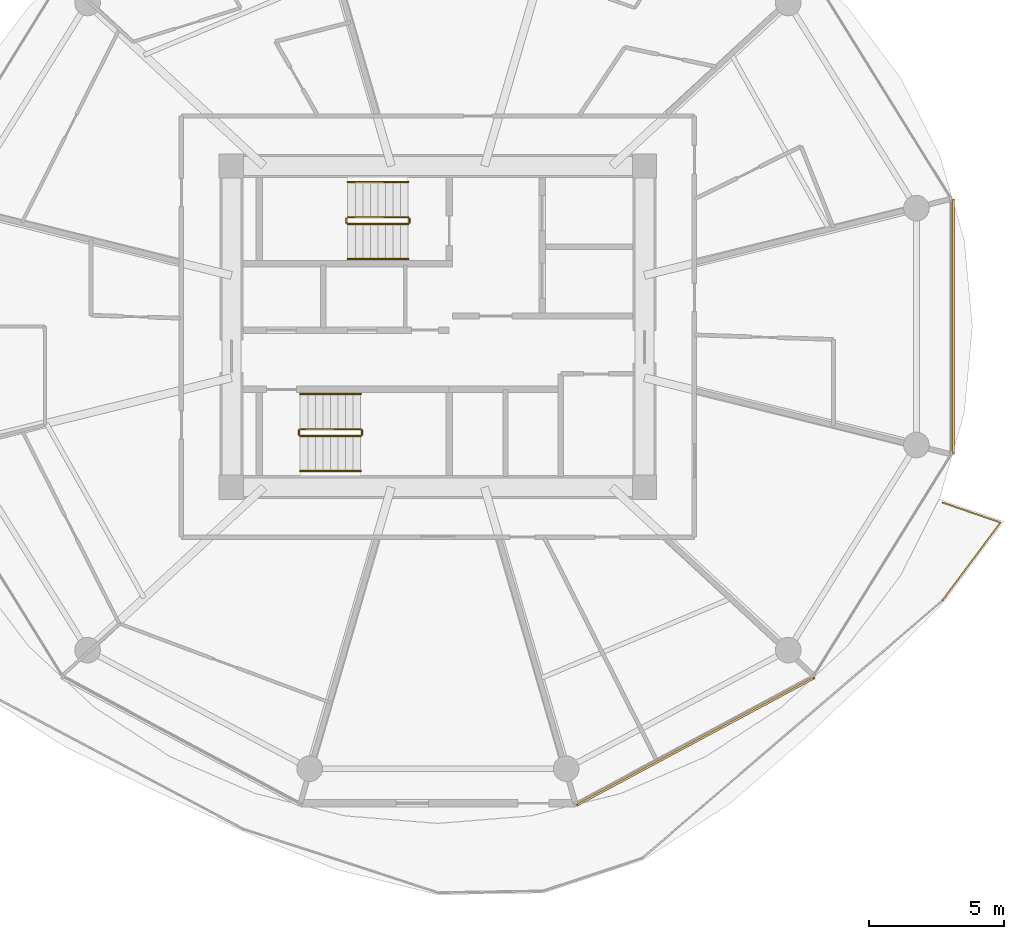
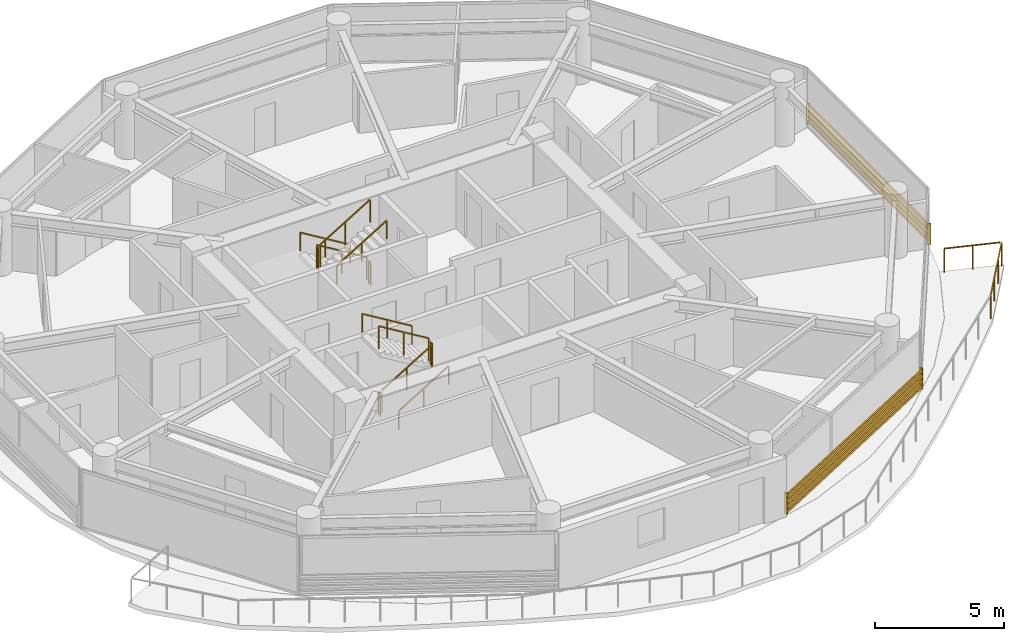
# One storey, part 24 of 25: 13 railings, 2 shading devices.
"""IFC4 building model written with IfcOpenShell, lengths in metres."""

from ifc_helpers import new_model, si_unit, direction, frame, origin, origin_2d, place, context, subcontext, project, spatial, rectangle, extrude, source, transform, mapped, material, type_object, type_shapes, element, save


model = new_model("IFC4")

# Units and contexts
model_context = context("Model", 3, precision=1e-05, world=origin(), true_north=direction((0.0, 1.0)))
body_context = subcontext(model_context, "Body", "Model", "MODEL_VIEW")
ifc_project = project(units=[si_unit("LENGTHUNIT", "METRE"), si_unit("AREAUNIT", "SQUARE_METRE"), si_unit("VOLUMEUNIT", "CUBIC_METRE"), si_unit("PLANEANGLEUNIT", "RADIAN"), si_unit("MASSUNIT", "GRAM", prefix="KILO")], contexts=[model_context])

# Site, building, storey
site_placement = place(None, origin())
site = spatial("IfcSite", under=ifc_project, at=site_placement, CompositionType="ELEMENT")
building_placement = place(site_placement, origin())
building = spatial("IfcBuilding", under=site, at=building_placement, Name="Norrkilde Senior Care Towers", CompositionType="ELEMENT")
storey_placement = place(building_placement, frame((0.0, 0.0, 27.699951171875)))
storey = spatial("IfcBuildingStorey", under=building, at=storey_placement, Name="L07", CompositionType="ELEMENT", Elevation=27.699951171875)

# Railings
ifc_material_1 = material(Name="Anodised Aluminium", Category="aluminium")
railing_type_1 = type_object("IfcRailingType", Name="Balcony Swirl Ribbon Guardrail 1150", PredefinedType="GUARDRAIL", material=ifc_material_1)
railing_1_placement = place(storey_placement, frame((46.69384765625, -6.519287109375, 0.0)))
element("IfcRailing", 1, at=railing_1_placement, inside=storey, type_object=railing_type_1, Name="L07 Perimeter Safety Guard 02", PredefinedType="GUARDRAIL", context=body_context, shape_type="SweptSolid", body=[
    extrude(rectangle(XDim=0.048095703125, YDim=0.048095703125, at=origin_2d()), frame((0.0, 0.0, 1.1259765625), z_axis=(0.945536499231, -0.325516095795, 0.0), x_axis=(0.325516095795, 0.945536499231, 0.0)), (0.0, 0.0, 1.0), 2.226318359375),
    extrude(rectangle(XDim=0.048095703125, YDim=0.048095703125, at=origin_2d()), frame((2.119384765625, -0.770751953125, 1.1259765625), z_axis=(-0.597424004496, -0.801925531986, 0.0), x_axis=(0.801925531986, -0.597424004496, 0.0)), (0.0, 0.0, 1.0), 3.557373046875),
    extrude(rectangle(XDim=0.0419921875, YDim=0.0419921875, at=origin_2d()), origin(), (0.0, 0.0, 1.0), 1.099853515625),
    extrude(rectangle(XDim=0.0419921875, YDim=0.0419921875, at=origin_2d()), frame((1.07177734375, -0.369140625, 0.0)), (0.0, 0.0, 1.0), 1.099853515625),
    extrude(rectangle(XDim=0.0419921875, YDim=0.0419921875, at=origin_2d()), frame((2.143798828125, -0.738037109375, 0.0)), (0.0, 0.0, 1.0), 1.099853515625),
    extrude(rectangle(XDim=0.0419921875, YDim=0.0419921875, at=origin_2d()), frame((1.42724609375, -1.699951171875, 0.0)), (0.0, 0.0, 1.0), 1.099853515625),
    extrude(rectangle(XDim=0.0419921875, YDim=0.0419921875, at=origin_2d()), frame((0.710693359375, -2.66162109375, 0.0)), (0.0, 0.0, 1.0), 1.099853515625),
    extrude(rectangle(XDim=0.0419921875, YDim=0.0419921875, at=origin_2d()), frame((-0.005859375, -3.62353515625, 0.0)), (0.0, 0.0, 1.0), 1.099853515625),
])
ifc_material_2 = material(Name="Stainless Steel", Category="steel")
railing_type_2 = type_object("IfcRailingType", Name="Stair and Terrace Guardrail 1100", PredefinedType="GUARDRAIL", material=ifc_material_2)
railing_2_placement = place(storey_placement, frame((26.89990234375, 4.050048828125, 0.16943359375)))
element("IfcRailing", 2, at=railing_2_placement, inside=storey, type_object=railing_type_2, Name="L07 ST-E1 stair guard 1", PredefinedType="GUARDRAIL", context=body_context, shape_type="SweptSolid", body=[
    extrude(rectangle(XDim=0.048095703125, YDim=0.048095703125, at=origin_2d()), frame((0.0, 0.0, 1.076171875), z_axis=(-0.855512035549, 0.0, 0.517782924622), x_axis=(0.0, -1.0, 0.0)), (0.0, 0.0, 1.0), 2.618408203125),
    extrude(rectangle(XDim=0.0419921875, YDim=0.0419921875, at=origin_2d()), origin(), (0.0, 0.0, 1.0), 1.050048828125),
    extrude(rectangle(XDim=0.0419921875, YDim=0.0419921875, at=origin_2d()), frame((-1.1201171875, 0.0, 0.677734375)), (0.0, 0.0, 1.0), 1.050048828125),
    extrude(rectangle(XDim=0.0419921875, YDim=0.0419921875, at=origin_2d()), frame((-2.239990234375, 0.0, 1.355712890625)), (0.0, 0.0, 1.0), 1.050048828125),
])
railing_3_placement = place(storey_placement, frame((24.610107421875, 4.0, 1.525146484375)))
element("IfcRailing", 3, at=railing_3_placement, inside=storey, type_object=railing_type_2, Name="L07 ST-E1 stair guard 2", PredefinedType="GUARDRAIL", context=body_context, shape_type="SweptSolid", body=[
    extrude(rectangle(XDim=0.048095703125, YDim=0.048095703125, at=origin_2d()), frame((0.0, 0.0, 1.076171875), z_axis=(0.0, -1.0, 0.0), x_axis=(1.0, 0.0, 0.0)), (0.0, 0.0, 1.0), 0.14990234375),
    extrude(rectangle(XDim=0.0419921875, YDim=0.0419921875, at=origin_2d()), origin(), (0.0, 0.0, 1.0), 1.050048828125),
    extrude(rectangle(XDim=0.0419921875, YDim=0.0419921875, at=origin_2d()), frame((0.0, -0.14990234375, 0.0)), (0.0, 0.0, 1.0), 1.050048828125),
])
railing_4_placement = place(storey_placement, frame((24.659912109375, 3.800048828125, 1.694580078125)))
element("IfcRailing", 4, at=railing_4_placement, inside=storey, type_object=railing_type_2, Name="L07 ST-E1 stair guard 3", PredefinedType="GUARDRAIL", context=body_context, shape_type="SweptSolid", body=[
    extrude(rectangle(XDim=0.048095703125, YDim=0.048095703125, at=origin_2d()), frame((0.0, 0.0, 1.076171875), z_axis=(0.855553338991, 0.0, 0.51771467445), x_axis=(0.0, 1.0, 0.0)), (0.0, 0.0, 1.0), 2.6181640625),
    extrude(rectangle(XDim=0.0419921875, YDim=0.0419921875, at=origin_2d()), origin(), (0.0, 0.0, 1.0), 1.050048828125),
    extrude(rectangle(XDim=0.0419921875, YDim=0.0419921875, at=origin_2d()), frame((1.1201171875, 0.0, 0.677734375)), (0.0, 0.0, 1.0), 1.050048828125),
    extrude(rectangle(XDim=0.0419921875, YDim=0.0419921875, at=origin_2d()), frame((2.239990234375, 0.0, 1.35546875)), (0.0, 0.0, 1.0), 1.050048828125),
])
railing_5_placement = place(storey_placement, frame((26.949951171875, 4.0, 0.0)))
element("IfcRailing", 5, at=railing_5_placement, inside=storey, type_object=railing_type_2, Name="L07 ST-E1 stair guard 4", PredefinedType="GUARDRAIL", context=body_context, shape_type="SweptSolid", body=[
    extrude(rectangle(XDim=0.048095703125, YDim=0.048095703125, at=origin_2d()), frame((0.0, 0.0, 1.076171875), z_axis=(0.0, -1.0, 0.0), x_axis=(1.0, 0.0, 0.0)), (0.0, 0.0, 1.0), 0.14990234375),
    extrude(rectangle(XDim=0.0419921875, YDim=0.0419921875, at=origin_2d()), origin(), (0.0, 0.0, 1.0), 1.050048828125),
    extrude(rectangle(XDim=0.0419921875, YDim=0.0419921875, at=origin_2d()), frame((0.0, -0.14990234375, 0.0)), (0.0, 0.0, 1.0), 1.050048828125),
])
railing_6_placement = place(storey_placement, frame((22.89990234375, -4.050048828125, 0.16943359375)))
element("IfcRailing", 6, at=railing_6_placement, inside=storey, type_object=railing_type_2, Name="L07 ST-E2 stair guard 1", PredefinedType="GUARDRAIL", context=body_context, shape_type="SweptSolid", body=[
    extrude(rectangle(XDim=0.048095703125, YDim=0.048095703125, at=origin_2d()), frame((0.0, 0.0, 1.076171875), z_axis=(0.855512035549, 0.0, 0.517782924622), x_axis=(0.0, 1.0, 0.0)), (0.0, 0.0, 1.0), 2.618408203125),
    extrude(rectangle(XDim=0.0419921875, YDim=0.0419921875, at=origin_2d()), origin(), (0.0, 0.0, 1.0), 1.050048828125),
    extrude(rectangle(XDim=0.0419921875, YDim=0.0419921875, at=origin_2d()), frame((1.1201171875, 0.0, 0.677734375)), (0.0, 0.0, 1.0), 1.050048828125),
    extrude(rectangle(XDim=0.0419921875, YDim=0.0419921875, at=origin_2d()), frame((2.239990234375, 0.0, 1.355712890625)), (0.0, 0.0, 1.0), 1.050048828125),
])
railing_7_placement = place(storey_placement, frame((25.18994140625, -4.0, 1.525146484375)))
element("IfcRailing", 7, at=railing_7_placement, inside=storey, type_object=railing_type_2, Name="L07 ST-E2 stair guard 2", PredefinedType="GUARDRAIL", context=body_context, shape_type="SweptSolid", body=[
    extrude(rectangle(XDim=0.048095703125, YDim=0.048095703125, at=origin_2d()), frame((0.0, 0.0, 1.076171875), z_axis=(0.0, 1.0, 0.0), x_axis=(-1.0, 0.0, 0.0)), (0.0, 0.0, 1.0), 0.14990234375),
    extrude(rectangle(XDim=0.0419921875, YDim=0.0419921875, at=origin_2d()), origin(), (0.0, 0.0, 1.0), 1.050048828125),
    extrude(rectangle(XDim=0.0419921875, YDim=0.0419921875, at=origin_2d()), frame((0.0, 0.14990234375, 0.0)), (0.0, 0.0, 1.0), 1.050048828125),
])
railing_8_placement = place(storey_placement, frame((25.139892578125, -3.800048828125, 1.694580078125)))
element("IfcRailing", 8, at=railing_8_placement, inside=storey, type_object=railing_type_2, Name="L07 ST-E2 stair guard 3", PredefinedType="GUARDRAIL", context=body_context, shape_type="SweptSolid", body=[
    extrude(rectangle(XDim=0.048095703125, YDim=0.048095703125, at=origin_2d()), frame((0.0, 0.0, 1.076171875), z_axis=(-0.855553338991, 0.0, 0.51771467445), x_axis=(0.0, -1.0, 0.0)), (0.0, 0.0, 1.0), 2.6181640625),
    extrude(rectangle(XDim=0.0419921875, YDim=0.0419921875, at=origin_2d()), origin(), (0.0, 0.0, 1.0), 1.050048828125),
    extrude(rectangle(XDim=0.0419921875, YDim=0.0419921875, at=origin_2d()), frame((-1.1201171875, 0.0, 0.677734375)), (0.0, 0.0, 1.0), 1.050048828125),
    extrude(rectangle(XDim=0.0419921875, YDim=0.0419921875, at=origin_2d()), frame((-2.239990234375, 0.0, 1.35546875)), (0.0, 0.0, 1.0), 1.050048828125),
])
railing_9_placement = place(storey_placement, frame((22.85009765625, -4.0, 0.0)))
element("IfcRailing", 9, at=railing_9_placement, inside=storey, type_object=railing_type_2, Name="L07 ST-E2 stair guard 4", PredefinedType="GUARDRAIL", context=body_context, shape_type="SweptSolid", body=[
    extrude(rectangle(XDim=0.048095703125, YDim=0.048095703125, at=origin_2d()), frame((0.0, 0.0, 1.076171875), z_axis=(0.0, 1.0, 0.0), x_axis=(-1.0, 0.0, 0.0)), (0.0, 0.0, 1.0), 0.14990234375),
    extrude(rectangle(XDim=0.0419921875, YDim=0.0419921875, at=origin_2d()), origin(), (0.0, 0.0, 1.0), 1.050048828125),
    extrude(rectangle(XDim=0.0419921875, YDim=0.0419921875, at=origin_2d()), frame((0.0, 0.14990234375, 0.0)), (0.0, 0.0, 1.0), 1.050048828125),
])
ifc_material_3 = material(Name="Nordic Ash Timber", Category="wood")
railing_type_3 = type_object("IfcRailingType", Name="Wall and Stair Handrail 900", PredefinedType="HANDRAIL", material=ifc_material_3)
railing_10_placement = place(storey_placement, frame((26.89990234375, 5.35009765625, 0.16943359375)))
element("IfcRailing", 10, at=railing_10_placement, inside=storey, type_object=railing_type_3, Name="L07 ST-E1 stair handrail 1", PredefinedType="HANDRAIL", context=body_context, shape_type="SweptSolid", body=[
    extrude(rectangle(XDim=0.048095703125, YDim=0.048095703125, at=origin_2d()), frame((0.0, 0.0, 0.8759765625), z_axis=(-0.855512035549, 0.0, 0.517782924622), x_axis=(0.0, -1.0, 0.0)), (0.0, 0.0, 1.0), 2.618408203125),
    extrude(rectangle(XDim=0.0419921875, YDim=0.0419921875, at=origin_2d()), origin(), (0.0, 0.0, 1.0), 0.849853515625),
    extrude(rectangle(XDim=0.0419921875, YDim=0.0419921875, at=origin_2d()), frame((-1.1201171875, 0.0, 0.677734375)), (0.0, 0.0, 1.0), 0.849853515625),
    extrude(rectangle(XDim=0.0419921875, YDim=0.0419921875, at=origin_2d()), frame((-2.239990234375, 0.0, 1.355712890625)), (0.0, 0.0, 1.0), 0.849853515625),
])
railing_11_placement = place(storey_placement, frame((24.659912109375, 2.5, 1.694580078125)))
element("IfcRailing", 11, at=railing_11_placement, inside=storey, type_object=railing_type_3, Name="L07 ST-E1 stair handrail 2", PredefinedType="HANDRAIL", context=body_context, shape_type="SweptSolid", body=[
    extrude(rectangle(XDim=0.048095703125, YDim=0.048095703125, at=origin_2d()), frame((0.0, 0.0, 0.8759765625), z_axis=(0.855553338991, 0.0, 0.51771467445), x_axis=(0.0, 1.0, 0.0)), (0.0, 0.0, 1.0), 2.6181640625),
    extrude(rectangle(XDim=0.0419921875, YDim=0.0419921875, at=origin_2d()), origin(), (0.0, 0.0, 1.0), 0.849853515625),
    extrude(rectangle(XDim=0.0419921875, YDim=0.0419921875, at=origin_2d()), frame((1.1201171875, 0.0, 0.677734375)), (0.0, 0.0, 1.0), 0.849853515625),
    extrude(rectangle(XDim=0.0419921875, YDim=0.0419921875, at=origin_2d()), frame((2.239990234375, 0.0, 1.35546875)), (0.0, 0.0, 1.0), 0.849853515625),
])
railing_12_placement = place(storey_placement, frame((22.89990234375, -5.35009765625, 0.16943359375)))
element("IfcRailing", 12, at=railing_12_placement, inside=storey, type_object=railing_type_3, Name="L07 ST-E2 stair handrail 1", PredefinedType="HANDRAIL", context=body_context, shape_type="SweptSolid", body=[
    extrude(rectangle(XDim=0.048095703125, YDim=0.048095703125, at=origin_2d()), frame((0.0, 0.0, 0.8759765625), z_axis=(0.855512035549, 0.0, 0.517782924622), x_axis=(0.0, 1.0, 0.0)), (0.0, 0.0, 1.0), 2.618408203125),
    extrude(rectangle(XDim=0.0419921875, YDim=0.0419921875, at=origin_2d()), origin(), (0.0, 0.0, 1.0), 0.849853515625),
    extrude(rectangle(XDim=0.0419921875, YDim=0.0419921875, at=origin_2d()), frame((1.1201171875, 0.0, 0.677734375)), (0.0, 0.0, 1.0), 0.849853515625),
    extrude(rectangle(XDim=0.0419921875, YDim=0.0419921875, at=origin_2d()), frame((2.239990234375, 0.0, 1.355712890625)), (0.0, 0.0, 1.0), 0.849853515625),
])
railing_13_placement = place(storey_placement, frame((25.139892578125, -2.5, 1.694580078125)))
element("IfcRailing", 13, at=railing_13_placement, inside=storey, type_object=railing_type_3, Name="L07 ST-E2 stair handrail 2", PredefinedType="HANDRAIL", context=body_context, shape_type="SweptSolid", body=[
    extrude(rectangle(XDim=0.048095703125, YDim=0.048095703125, at=origin_2d()), frame((0.0, 0.0, 0.8759765625), z_axis=(-0.855553338991, 0.0, 0.51771467445), x_axis=(0.0, -1.0, 0.0)), (0.0, 0.0, 1.0), 2.6181640625),
    extrude(rectangle(XDim=0.0419921875, YDim=0.0419921875, at=origin_2d()), origin(), (0.0, 0.0, 1.0), 0.849853515625),
    extrude(rectangle(XDim=0.0419921875, YDim=0.0419921875, at=origin_2d()), frame((-1.1201171875, 0.0, 0.677734375)), (0.0, 0.0, 1.0), 0.849853515625),
    extrude(rectangle(XDim=0.0419921875, YDim=0.0419921875, at=origin_2d()), frame((-2.239990234375, 0.0, 1.35546875)), (0.0, 0.0, 1.0), 0.849853515625),
])

# Shading devices
ifc_material_4 = material(Name="Architectural Terracotta", Category="masonry")
shading_device_type = type_object("IfcShadingDeviceType", Name="Horizontal Terracotta Baguette Rack", PredefinedType="USERDEFINED", material=ifc_material_4)
shared_shape_1 = source(origin(), body_context, "Body", "SweptSolid", [
    extrude(rectangle(XDim=0.070068359375, YDim=0.110107421875, at=origin_2d()), frame((0.0, 0.090087890625, 0.125), z_axis=(1.0, 0.0, 0.0), x_axis=(0.0, 1.0, 0.0)), (0.0, 0.0, 1.0), 10.0107421875),
    extrude(rectangle(XDim=0.070068359375, YDim=0.110107421875, at=origin_2d()), frame((0.0, 0.090087890625, 0.375), z_axis=(1.0, 0.0, 0.0), x_axis=(0.0, 1.0, 0.0)), (0.0, 0.0, 1.0), 10.0107421875),
    extrude(rectangle(XDim=0.070068359375, YDim=0.110107421875, at=origin_2d()), frame((0.0, 0.090087890625, 0.625), z_axis=(1.0, 0.0, 0.0), x_axis=(0.0, 1.0, 0.0)), (0.0, 0.0, 1.0), 10.0107421875),
    extrude(rectangle(XDim=0.070068359375, YDim=0.110107421875, at=origin_2d()), frame((0.0, 0.090087890625, 0.875), z_axis=(1.0, 0.0, 0.0), x_axis=(0.0, 1.0, 0.0)), (0.0, 0.0, 1.0), 10.0107421875),
    extrude(rectangle(XDim=0.050048828125, YDim=0.1552734375, at=origin_2d()), frame((0.02490234375, 0.047607421875, 0.0)), (0.0, 0.0, 1.0), 1.0),
    extrude(rectangle(XDim=0.050048828125, YDim=0.1552734375, at=origin_2d()), frame((9.98583984375, 0.047607421875, 0.0)), (0.0, 0.0, 1.0), 1.0),
])
shading_device_1_placement = place(storey_placement, frame((41.915771484375, -12.926025390625, 0.080078125), z_axis=(0.0, 0.0, 1.0), x_axis=(-0.881279875134, -0.472612428056, 0.0)))
element("IfcShadingDevice", 14, at=shading_device_1_placement, inside=storey, type_object=shading_device_type, Name="L07 Drum E Terracotta Baguette Screen 09", ObjectType="BAGUETTE", PredefinedType="USERDEFINED", context=body_context, shape_type="MappedRepresentation", body=[
    mapped(shared_shape_1, transform((0.0, 0.0, 0.0), x_axis=(1.0, 0.0, 0.0), y_axis=(0.0, 1.0, 0.0), z_axis=(0.0, 0.0, 1.0), scale=1.0)),
])
shared_shape_2 = source(origin(), body_context, "Body", "SweptSolid", [
    extrude(rectangle(XDim=0.070068359375, YDim=0.110107421875, at=origin_2d()), frame((0.0, 0.090087890625, 0.125), z_axis=(1.0, 0.0, 0.0), x_axis=(0.0, 1.0, 0.0)), (0.0, 0.0, 1.0), 9.46240234375),
    extrude(rectangle(XDim=0.070068359375, YDim=0.110107421875, at=origin_2d()), frame((0.0, 0.090087890625, 0.375), z_axis=(1.0, 0.0, 0.0), x_axis=(0.0, 1.0, 0.0)), (0.0, 0.0, 1.0), 9.46240234375),
    extrude(rectangle(XDim=0.070068359375, YDim=0.110107421875, at=origin_2d()), frame((0.0, 0.090087890625, 0.625), z_axis=(1.0, 0.0, 0.0), x_axis=(0.0, 1.0, 0.0)), (0.0, 0.0, 1.0), 9.46240234375),
    extrude(rectangle(XDim=0.070068359375, YDim=0.110107421875, at=origin_2d()), frame((0.0, 0.090087890625, 0.875), z_axis=(1.0, 0.0, 0.0), x_axis=(0.0, 1.0, 0.0)), (0.0, 0.0, 1.0), 9.46240234375),
    extrude(rectangle(XDim=0.050048828125, YDim=0.1552734375, at=origin_2d()), frame((0.02490234375, 0.047607421875, 0.0)), (0.0, 0.0, 1.0), 1.0),
    extrude(rectangle(XDim=0.050048828125, YDim=0.1552734375, at=origin_2d()), frame((9.4375, 0.047607421875, 0.0)), (0.0, 0.0, 1.0), 1.0),
])
type_shapes(shading_device_type, [shared_shape_1, shared_shape_2])
shading_device_2_placement = place(storey_placement, frame((47.009521484375, 4.731201171875, 0.080078125), z_axis=(0.0, 0.0, 1.0), x_axis=(0.0, -1.0, 0.0)))
element("IfcShadingDevice", 15, at=shading_device_2_placement, inside=storey, type_object=shading_device_type, Name="L07 Drum E Terracotta Baguette Screen 11", ObjectType="BAGUETTE", PredefinedType="USERDEFINED", context=body_context, shape_type="MappedRepresentation", body=[
    mapped(shared_shape_2, transform((0.0, 0.0, 0.0), x_axis=(1.0, 0.0, 0.0), y_axis=(0.0, 1.0, 0.0), z_axis=(0.0, 0.0, 1.0), scale=1.0)),
])

save(model, "model.ifc")
